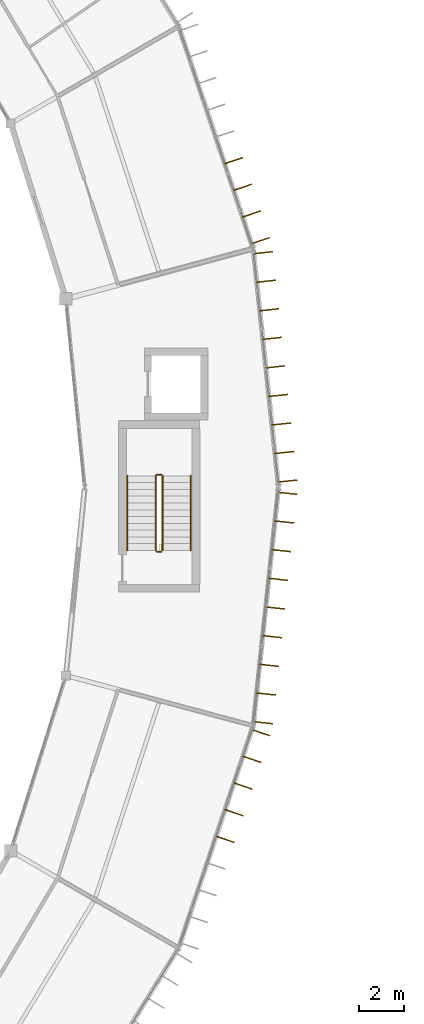
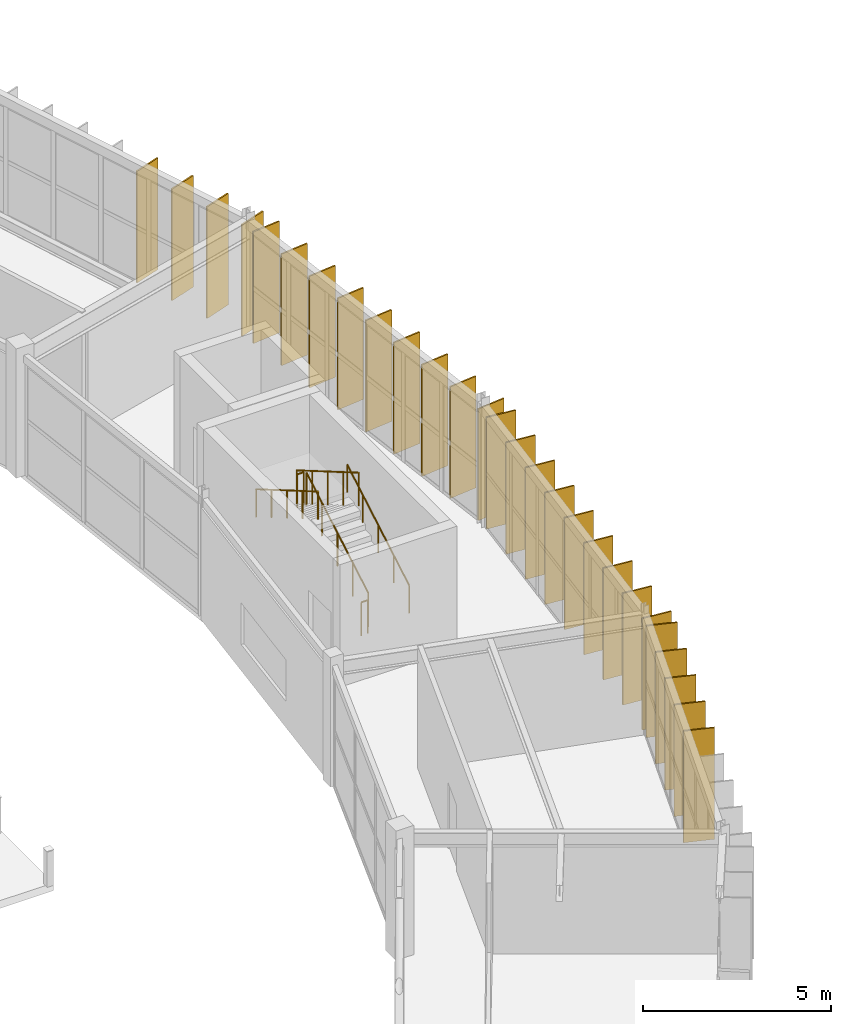
# One storey, part 152 of 157: 27 shading devices, 6 railings.
"""IFC4 building model written with IfcOpenShell, lengths in metres."""

from ifc_helpers import new_model, si_unit, direction, frame, origin, origin_2d, place, context, subcontext, project, spatial, rectangle, circle, extrude, material, layer, layer_set, type_object, element, save


model = new_model("IFC4")

# Units and contexts
model_context = context("Model", 3, precision=1e-05, world=origin(), true_north=direction((0.0, 1.0)))
body_context = subcontext(model_context, "Body", "Model", "MODEL_VIEW")
ifc_project = project(units=[si_unit("LENGTHUNIT", "METRE"), si_unit("AREAUNIT", "SQUARE_METRE"), si_unit("VOLUMEUNIT", "CUBIC_METRE"), si_unit("PLANEANGLEUNIT", "RADIAN"), si_unit("MASSUNIT", "GRAM", prefix="KILO")], contexts=[model_context])

# Site, building, storey
site_placement = place(None, origin())
site = spatial("IfcSite", under=ifc_project, at=site_placement, CompositionType="ELEMENT")
building_placement = place(site_placement, origin())
building = spatial("IfcBuilding", under=site, at=building_placement, Name="Karori Crest Natural Sciences Institute", CompositionType="ELEMENT")
storey_placement = place(building_placement, frame((0.0, 0.0, 13.300048828125)))
storey = spatial("IfcBuildingStorey", under=building, at=storey_placement, Name="L03", CompositionType="ELEMENT", Elevation=13.300048828125)

# Railings
ifc_material_1 = material(Name="Stainless steel 316 tubular handrail", Category="steel")
railing_type_1 = type_object("IfcRailingType", Name="RLT-HND", PredefinedType="HANDRAIL", material=ifc_material_1)
railing_1_placement = place(storey_placement, frame((95.5, 47.10009765625, 0.175048828125)))
element("IfcRailing", 1, at=railing_1_placement, inside=storey, type_object=railing_type_1, Name="Stair handrail RL-0029", PredefinedType="HANDRAIL", context=body_context, shape_type="SweptSolid", body=[
    extrude(circle(Radius=0.02392578125, at=origin_2d()), frame((0.0, 0.0, 0.90087890625), z_axis=(0.0, 0.863788172461, 0.503855131081), x_axis=(-1.0, 0.0, 0.0)), (0.0, 0.0, 1.0), 3.820068359375),
    extrude(circle(Radius=0.02099609375, at=origin_2d()), origin(), (0.0, 0.0, 1.0), 0.876953125),
    extrude(circle(Radius=0.02099609375, at=origin_2d()), frame((0.0, 0.824951171875, 0.481201171875)), (0.0, 0.0, 1.0), 0.876953125),
    extrude(circle(Radius=0.02099609375, at=origin_2d()), frame((0.0, 1.64990234375, 0.96240234375)), (0.0, 0.0, 1.0), 0.876953125),
    extrude(circle(Radius=0.02099609375, at=origin_2d()), frame((0.0, 2.474853515625, 1.443603515625)), (0.0, 0.0, 1.0), 0.876953125),
    extrude(circle(Radius=0.02099609375, at=origin_2d()), frame((0.0, 3.2998046875, 1.9248046875)), (0.0, 0.0, 1.0), 0.876953125),
])
railing_2_placement = place(storey_placement, frame((92.699951171875, 50.39990234375, 2.27490234375)))
element("IfcRailing", 2, at=railing_2_placement, inside=storey, type_object=railing_type_1, Name="Stair handrail RL-0030", PredefinedType="HANDRAIL", context=body_context, shape_type="SweptSolid", body=[
    extrude(circle(Radius=0.02392578125, at=origin_2d()), frame((0.0, 0.0, 0.90087890625), z_axis=(0.0, -0.863760357493, 0.503902812876), x_axis=(1.0, 0.0, 0.0)), (0.0, 0.0, 1.0), 3.8203125),
    extrude(circle(Radius=0.02099609375, at=origin_2d()), origin(), (0.0, 0.0, 1.0), 0.876953125),
    extrude(circle(Radius=0.02099609375, at=origin_2d()), frame((0.0, -0.824951171875, 0.481201171875)), (0.0, 0.0, 1.0), 0.876953125),
    extrude(circle(Radius=0.02099609375, at=origin_2d()), frame((0.0, -1.64990234375, 0.96240234375)), (0.0, 0.0, 1.0), 0.876953125),
    extrude(circle(Radius=0.02099609375, at=origin_2d()), frame((0.0, -2.474853515625, 1.44384765625)), (0.0, 0.0, 1.0), 0.876953125),
    extrude(circle(Radius=0.02099609375, at=origin_2d()), frame((0.0, -3.2998046875, 1.925048828125)), (0.0, 0.0, 1.0), 0.876953125),
])
ifc_material_2 = material(Name="Stainless steel 316 stair guard", Category="steel")
railing_type_2 = type_object("IfcRailingType", Name="RLT-STG", PredefinedType="GUARDRAIL", material=ifc_material_2)
railing_3_placement = place(storey_placement, frame((94.25, 47.10009765625, 0.175048828125)))
element("IfcRailing", 3, at=railing_3_placement, inside=storey, type_object=railing_type_2, Name="Stair guard RL-0025", PredefinedType="GUARDRAIL", context=body_context, shape_type="SweptSolid", body=[
    extrude(circle(Radius=0.02392578125, at=origin_2d()), frame((0.0, 0.0, 1.076171875), z_axis=(0.0, 0.863788172461, 0.503855131081), x_axis=(-1.0, 0.0, 0.0)), (0.0, 0.0, 1.0), 3.820068359375),
    extrude(circle(Radius=0.02099609375, at=origin_2d()), origin(), (0.0, 0.0, 1.0), 1.052001953125),
    extrude(circle(Radius=0.02099609375, at=origin_2d()), frame((0.0, 0.824951171875, 0.481201171875)), (0.0, 0.0, 1.0), 1.052001953125),
    extrude(circle(Radius=0.02099609375, at=origin_2d()), frame((0.0, 1.64990234375, 0.96240234375)), (0.0, 0.0, 1.0), 1.052001953125),
    extrude(circle(Radius=0.02099609375, at=origin_2d()), frame((0.0, 2.474853515625, 1.443603515625)), (0.0, 0.0, 1.0), 1.052001953125),
    extrude(circle(Radius=0.02099609375, at=origin_2d()), frame((0.0, 3.2998046875, 1.9248046875)), (0.0, 0.0, 1.0), 1.052001953125),
])
railing_4_placement = place(storey_placement, frame((94.199951171875, 50.449951171875, 2.099853515625)))
element("IfcRailing", 4, at=railing_4_placement, inside=storey, type_object=railing_type_2, Name="Stair guard RL-0026", PredefinedType="GUARDRAIL", context=body_context, shape_type="SweptSolid", body=[
    extrude(circle(Radius=0.02392578125, at=origin_2d()), frame((0.0, 0.0, 1.076171875), z_axis=(-1.0, 0.0, 0.0), x_axis=(0.0, -1.0, 0.0)), (0.0, 0.0, 1.0), 0.199951171875),
    extrude(circle(Radius=0.02099609375, at=origin_2d()), origin(), (0.0, 0.0, 1.0), 1.052001953125),
    extrude(circle(Radius=0.02099609375, at=origin_2d()), frame((-0.199951171875, 0.0, 0.0)), (0.0, 0.0, 1.0), 1.052001953125),
])
railing_5_placement = place(storey_placement, frame((93.949951171875, 50.39990234375, 2.27490234375)))
element("IfcRailing", 5, at=railing_5_placement, inside=storey, type_object=railing_type_2, Name="Stair guard RL-0027", PredefinedType="GUARDRAIL", context=body_context, shape_type="SweptSolid", body=[
    extrude(circle(Radius=0.02392578125, at=origin_2d()), frame((0.0, 0.0, 1.076171875), z_axis=(0.0, -0.863760357493, 0.503902812876), x_axis=(1.0, 0.0, 0.0)), (0.0, 0.0, 1.0), 3.8203125),
    extrude(circle(Radius=0.02099609375, at=origin_2d()), origin(), (0.0, 0.0, 1.0), 1.052001953125),
    extrude(circle(Radius=0.02099609375, at=origin_2d()), frame((0.0, -0.824951171875, 0.481201171875)), (0.0, 0.0, 1.0), 1.052001953125),
    extrude(circle(Radius=0.02099609375, at=origin_2d()), frame((0.0, -1.64990234375, 0.96240234375)), (0.0, 0.0, 1.0), 1.052001953125),
    extrude(circle(Radius=0.02099609375, at=origin_2d()), frame((0.0, -2.474853515625, 1.44384765625)), (0.0, 0.0, 1.0), 1.052001953125),
    extrude(circle(Radius=0.02099609375, at=origin_2d()), frame((0.0, -3.2998046875, 1.925048828125)), (0.0, 0.0, 1.0), 1.052001953125),
])
railing_6_placement = place(storey_placement, frame((94.199951171875, 47.050048828125, 0.0)))
element("IfcRailing", 6, at=railing_6_placement, inside=storey, type_object=railing_type_2, Name="Stair guard RL-0028", PredefinedType="GUARDRAIL", context=body_context, shape_type="SweptSolid", body=[
    extrude(circle(Radius=0.02392578125, at=origin_2d()), frame((0.0, 0.0, 1.076171875), z_axis=(-1.0, 0.0, 0.0), x_axis=(0.0, -1.0, 0.0)), (0.0, 0.0, 1.0), 0.199951171875),
    extrude(circle(Radius=0.02099609375, at=origin_2d()), origin(), (0.0, 0.0, 1.0), 1.052001953125),
    extrude(circle(Radius=0.02099609375, at=origin_2d()), frame((-0.199951171875, 0.0, 0.0)), (0.0, 0.0, 1.0), 1.052001953125),
])

# Shading devices
ifc_material_3 = material(Name="Anodised architectural aluminium 6063-T6", Category="aluminium")
ifc_layer = layer(ifc_material_3, 0.044921875, Name="Anodised architectural aluminium 6063-T6")
ifc_layer_set = layer_set([ifc_layer], Name="Anodised architectural aluminium 6063-T6")
shading_device_type = type_object("IfcShadingDeviceType", Name="SDT-FIN", PredefinedType="USERDEFINED", material=ifc_layer_set)
for number, where, z_axis, x_axis, name in (
    (7, (98.707275390625, 60.27880859375, 0.0), (0.0, 0.0, 1.0), (0.994378488506, 0.105884000668, 0.0), "Vertical solar fin FN-0409"),
    (8, (98.841796875, 59.015380859375, 0.0), (0.0, 0.0, 1.0), (0.994378488506, 0.105884000668, 0.0), "Vertical solar fin FN-0410"),
    (9, (98.976318359375, 57.751708984375, 0.0), (0.0, 0.0, 1.0), (0.994378488506, 0.105884000668, 0.0), "Vertical solar fin FN-0411"),
    (10, (99.11083984375, 56.48828125, 0.0), (0.0, 0.0, 1.0), (0.994378488506, 0.105884000668, 0.0), "Vertical solar fin FN-0412"),
    (11, (99.245361328125, 55.224853515625, 0.0), (0.0, 0.0, 1.0), (0.994378488506, 0.105884000668, 0.0), "Vertical solar fin FN-0413"),
    (12, (99.3798828125, 53.961181640625, 0.0), (0.0, 0.0, 1.0), (0.994378488506, 0.105884000668, 0.0), "Vertical solar fin FN-0414"),
    (13, (99.514404296875, 52.69775390625, 0.0), (0.0, 0.0, 1.0), (0.994378488506, 0.105884000668, 0.0), "Vertical solar fin FN-0415"),
    (14, (99.64892578125, 51.434326171875, 0.0), (0.0, 0.0, 1.0), (0.994378488506, 0.105884000668, 0.0), "Vertical solar fin FN-0416"),
    (15, (99.783447265625, 50.1708984375, 0.0), (0.0, 0.0, 1.0), (0.994378488506, 0.105884000668, 0.0), "Vertical solar fin FN-0417"),
    (16, (97.40380859375, 64.352294921875, 0.0), (0.0, 0.0, 1.0), (0.948197867933, 0.317680347595, 0.0), "Vertical solar fin FN-0423"),
    (17, (97.799560546875, 63.171630859375, 0.0), (0.0, 0.0, 1.0), (0.948197867933, 0.317680347595, 0.0), "Vertical solar fin FN-0424"),
    (18, (98.195068359375, 61.99072265625, 0.0), (0.0, 0.0, 1.0), (0.948197867933, 0.317680347595, 0.0), "Vertical solar fin FN-0425"),
    (19, (98.5908203125, 60.81005859375, 0.0), (0.0, 0.0, 1.0), (0.948197867933, 0.317680347595, 0.0), "Vertical solar fin FN-0426"),
    (20, (98.606201171875, 39.035888671875, 0.0), (0.0, 0.0, 1.0), (0.948197867933, -0.317680347595, 0.0), "Vertical solar fin FN-0595"),
    (21, (98.21044921875, 37.855224609375, 0.0), (0.0, 0.0, 1.0), (0.948197867933, -0.317680347595, 0.0), "Vertical solar fin FN-0596"),
    (22, (97.81494140625, 36.67431640625, 0.0), (0.0, 0.0, 1.0), (0.948197867933, -0.317680347595, 0.0), "Vertical solar fin FN-0597"),
    (23, (97.419189453125, 35.49365234375, 0.0), (0.0, 0.0, 1.0), (0.948197867933, -0.317680347595, 0.0), "Vertical solar fin FN-0598"),
    (24, (97.023681640625, 34.31298828125, 0.0), (0.0, 0.0, 1.0), (0.948197867933, -0.317680347595, 0.0), "Vertical solar fin FN-0599"),
    (25, (99.783447265625, 49.629150390625, 0.0), (0.0, 0.0, 1.0), (0.994378303702, -0.105885736186, 0.0), "Vertical solar fin FN-0604"),
    (26, (99.6484375, 48.35986328125, 0.0), (0.0, 0.0, 1.0), (0.994378303702, -0.105885736186, 0.0), "Vertical solar fin FN-0605"),
    (27, (99.51318359375, 47.0908203125, 0.0), (0.0, 0.0, 1.0), (0.994378303702, -0.105885736186, 0.0), "Vertical solar fin FN-0606"),
    (28, (99.3779296875, 45.821533203125, 0.0), (0.0, 0.0, 1.0), (0.994378303702, -0.105885736186, 0.0), "Vertical solar fin FN-0607"),
    (29, (99.242919921875, 44.55224609375, 0.0), (0.0, 0.0, 1.0), (0.994378303702, -0.105885736186, 0.0), "Vertical solar fin FN-0608"),
    (30, (99.107666015625, 43.282958984375, 0.0), (0.0, 0.0, 1.0), (0.994378303702, -0.105885736186, 0.0), "Vertical solar fin FN-0609"),
    (31, (98.97265625, 42.013916015625, 0.0), (0.0, 0.0, 1.0), (0.994378303702, -0.105885736186, 0.0), "Vertical solar fin FN-0610"),
    (32, (98.83740234375, 40.74462890625, 0.0), (0.0, 0.0, 1.0), (0.994378303702, -0.105885736186, 0.0), "Vertical solar fin FN-0611"),
    (33, (98.702392578125, 39.475341796875, 0.0), (0.0, 0.0, 1.0), (0.994378303702, -0.105885736186, 0.0), "Vertical solar fin FN-0612"),
):
    element("IfcShadingDevice", number, at=place(storey_placement, frame(where, z_axis=z_axis, x_axis=x_axis)), inside=storey, type_object=shading_device_type, Name=name, ObjectType="SOLAR_FIN", PredefinedType="USERDEFINED", context=body_context, shape_type="SweptSolid", body=[
        extrude(rectangle(XDim=0.85009765625, YDim=0.044921875, at=origin_2d()), origin(), (0.0, 0.0, 1.0), 3.625),
    ])

save(model, "model.ifc")
